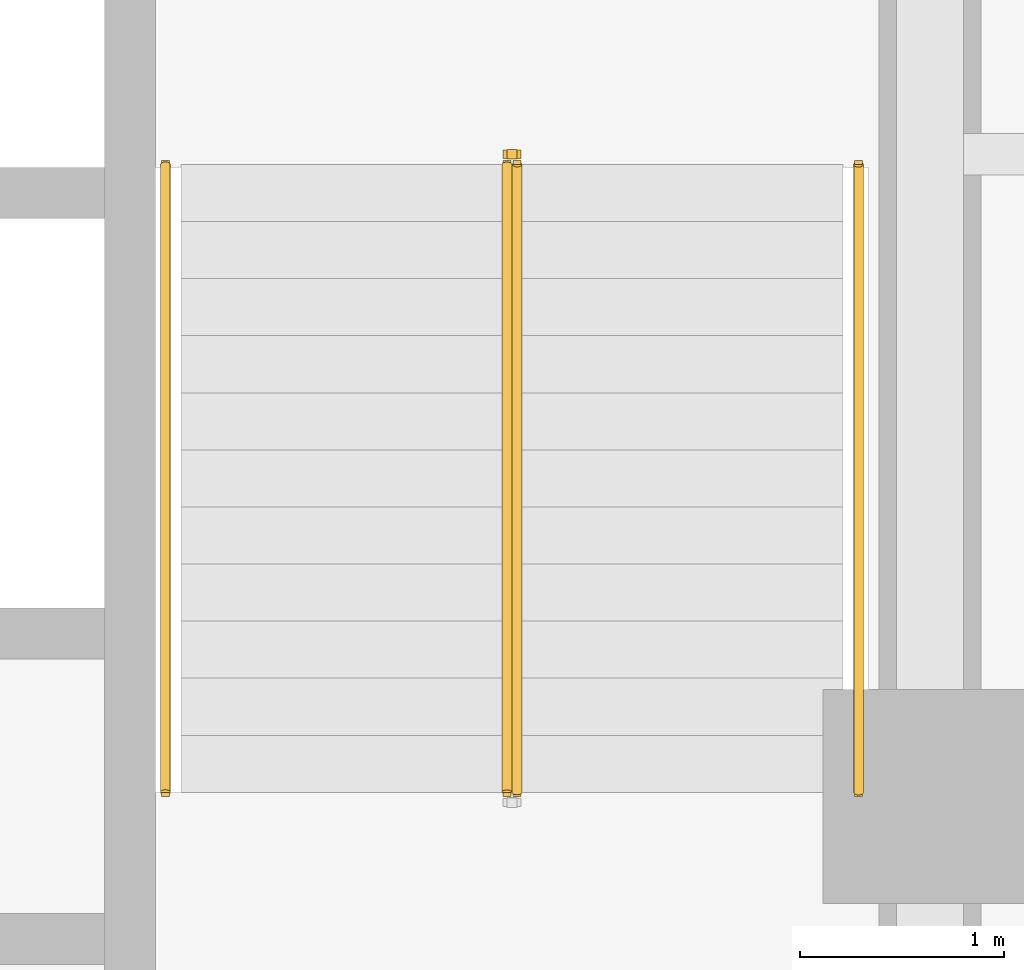
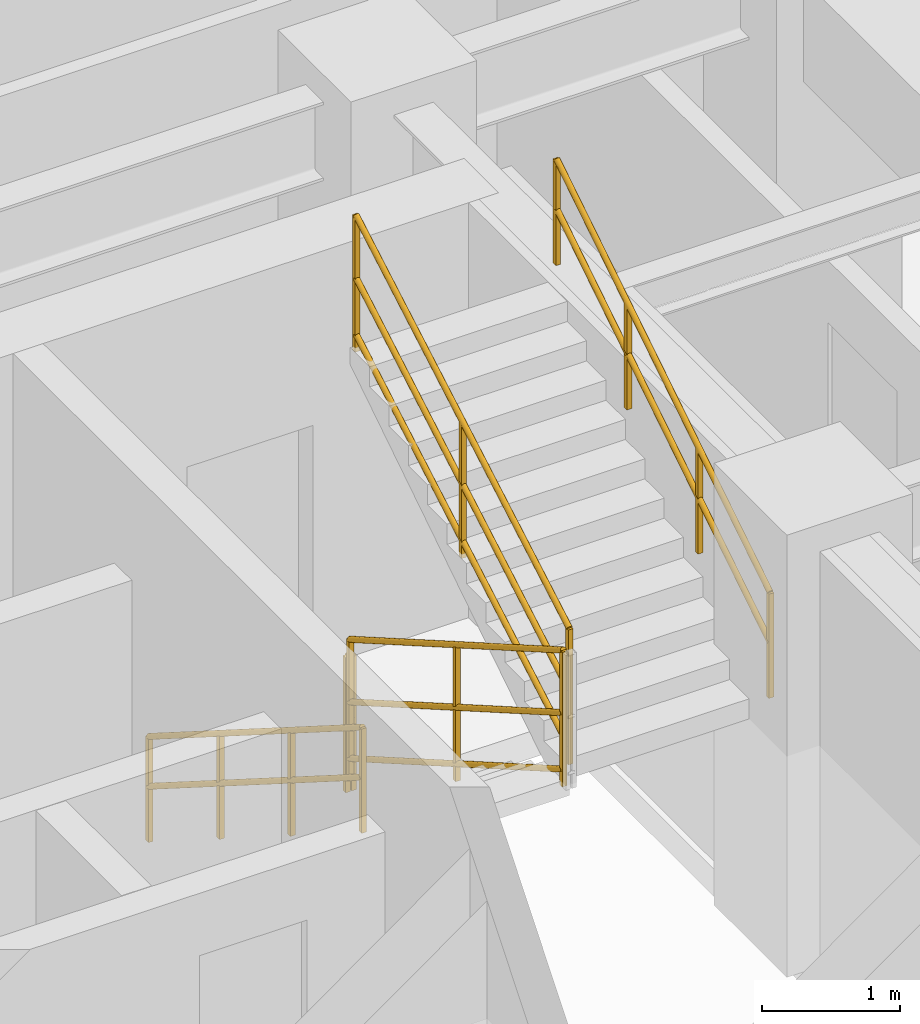
# One storey, part 9 of 10: 5 railings.
"""IFC4 building model written with IfcOpenShell, lengths in metres."""

from ifc_helpers import new_model, entity, si_unit, converted_unit, direction, frame, origin_with_axes, origin_2d_with_axis, place, context, subcontext, project, spatial, rectangle, circle, extrude, material, type_object, element, save


model = new_model("IFC4")

# Units and contexts
model_context = context("Model", 3, precision=1e-05, world=origin_with_axes(), true_north=direction((0.0, 1.0)))
body_context = subcontext(model_context, "Body", "Model", "MODEL_VIEW")
ifc_project = project(units=[si_unit("LENGTHUNIT", "METRE"), si_unit("AREAUNIT", "SQUARE_METRE"), si_unit("VOLUMEUNIT", "CUBIC_METRE"), converted_unit("PLANEANGLEUNIT", "DEGREE", entity("IfcPlaneAngleMeasure", 0.017453292519943295), si_unit("PLANEANGLEUNIT", "RADIAN"), dimensions=[0, 0, 0, 0, 0, 0, 0]), si_unit("MASSUNIT", "GRAM", prefix="KILO"), si_unit("THERMODYNAMICTEMPERATUREUNIT", "KELVIN")], contexts=[model_context])

# Site, building, storey
site_placement = place(None, origin_with_axes())
site = spatial("IfcSite", under=ifc_project, at=site_placement, CompositionType="ELEMENT")
building_placement = place(site_placement, origin_with_axes())
building = spatial("IfcBuilding", under=site, at=building_placement, Name="Varnlund Millrace Tower", CompositionType="ELEMENT")
storey_placement = place(building_placement, frame((0.0, 0.0, 160.2), z_axis=(0.0, 0.0, 1.0), x_axis=(1.0, 0.0, 0.0)))
storey = spatial("IfcBuildingStorey", under=building, at=storey_placement, Name="L39", CompositionType="ELEMENT", Elevation=160.2)

# Railings
ifc_material_1 = material(Name="Painted steel stair well balustrade guard", Category="steel")
railing_type_1 = type_object("IfcRailingType", Name="Type-StairGuard-1150", PredefinedType="GUARDRAIL", material=ifc_material_1)
railing_1_placement = place(storey_placement, frame((0.0, 0.0, -160.2), z_axis=(0.0, 0.0, 1.0), x_axis=(1.0, 0.0, 0.0)))
element("IfcRailing", 1, at=railing_1_placement, inside=storey, type_object=railing_type_1, Name="Type-StairGuard-1150", PredefinedType="GUARDRAIL", context=body_context, shape_type="SweptSolid", body=[
    extrude(circle(Radius=0.024, at=origin_2d_with_axis()), frame((45.975, 21.1, 161.527273), z_axis=(0.0, -0.866696, 0.498836), x_axis=(1.0, 0.0, 0.0)), (0.0, 0.0, 1.0), 3.553725),
    extrude(circle(Radius=0.024, at=origin_2d_with_axis()), frame((45.975, 21.1, 160.477273), z_axis=(0.0, -0.866696, 0.498836), x_axis=(1.0, 0.0, 0.0)), (0.0, 0.0, 1.0), 3.553725),
    extrude(circle(Radius=0.024, at=origin_2d_with_axis()), frame((45.975, 21.1, 160.975273), z_axis=(0.0, -0.866696, 0.498836), x_axis=(1.0, 0.0, 0.0)), (0.0, 0.0, 1.0), 3.553725),
    extrude(rectangle(XDim=0.04, YDim=0.04, at=origin_2d_with_axis()), frame((45.975, 21.1, 160.337273), z_axis=(0.0, 0.0, 1.0), x_axis=(1.0, 0.0, 0.0)), (0.0, 0.0, 1.0), 1.19),
    extrude(rectangle(XDim=0.04, YDim=0.04, at=origin_2d_with_axis()), frame((45.975, 19.56, 161.223637), z_axis=(0.0, 0.0, 1.0), x_axis=(1.0, 0.0, 0.0)), (0.0, 0.0, 1.0), 1.19),
    extrude(rectangle(XDim=0.04, YDim=0.04, at=origin_2d_with_axis()), frame((45.975, 18.02, 162.11), z_axis=(0.0, 0.0, 1.0), x_axis=(1.0, 0.0, 0.0)), (0.0, 0.0, 1.0), 1.19),
])
railing_2_placement = place(storey_placement, frame((0.0, 0.0, -160.2), z_axis=(0.0, 0.0, 1.0), x_axis=(1.0, 0.0, 0.0)))
element("IfcRailing", 2, at=railing_2_placement, inside=storey, type_object=railing_type_1, Name="Type-StairGuard-1150", PredefinedType="GUARDRAIL", context=body_context, shape_type="SweptSolid", body=[
    extrude(circle(Radius=0.024, at=origin_2d_with_axis()), frame((46.025, 18.02, 163.477273), z_axis=(0.0, 0.866696, 0.498836), x_axis=(-1.0, 0.0, 0.0)), (0.0, 0.0, 1.0), 3.553725),
    extrude(circle(Radius=0.024, at=origin_2d_with_axis()), frame((46.025, 18.02, 162.427273), z_axis=(0.0, 0.866696, 0.498836), x_axis=(-1.0, 0.0, 0.0)), (0.0, 0.0, 1.0), 3.553725),
    extrude(circle(Radius=0.024, at=origin_2d_with_axis()), frame((46.025, 18.02, 162.925273), z_axis=(0.0, 0.866696, 0.498836), x_axis=(-1.0, 0.0, 0.0)), (0.0, 0.0, 1.0), 3.553725),
    extrude(rectangle(XDim=0.04, YDim=0.04, at=origin_2d_with_axis()), frame((46.025, 18.02, 162.287273), z_axis=(0.0, 0.0, 1.0), x_axis=(1.0, 0.0, 0.0)), (0.0, 0.0, 1.0), 1.19),
    extrude(rectangle(XDim=0.04, YDim=0.04, at=origin_2d_with_axis()), frame((46.025, 19.56, 163.173637), z_axis=(0.0, 0.0, 1.0), x_axis=(1.0, 0.0, 0.0)), (0.0, 0.0, 1.0), 1.19),
    extrude(rectangle(XDim=0.04, YDim=0.04, at=origin_2d_with_axis()), frame((46.025, 21.1, 164.06), z_axis=(0.0, 0.0, 1.0), x_axis=(1.0, 0.0, 0.0)), (0.0, 0.0, 1.0), 1.19),
])
railing_3_placement = place(storey_placement, frame((0.0, 0.0, -160.2), z_axis=(0.0, 0.0, 1.0), x_axis=(1.0, 0.0, 0.0)))
element("IfcRailing", 3, at=railing_3_placement, inside=storey, type_object=railing_type_1, Name="Type-StairGuard-1150", PredefinedType="GUARDRAIL", context=body_context, shape_type="SweptSolid", body=[
    extrude(circle(Radius=0.024, at=origin_2d_with_axis()), frame((46.025, 21.15, 161.35), z_axis=(-1.0, 0.0, 0.0), x_axis=(0.0, -1.0, 0.0)), (0.0, 0.0, 1.0), 0.05),
    extrude(circle(Radius=0.024, at=origin_2d_with_axis()), frame((46.025, 21.15, 160.3), z_axis=(-1.0, 0.0, 0.0), x_axis=(0.0, -1.0, 0.0)), (0.0, 0.0, 1.0), 0.05),
    extrude(circle(Radius=0.024, at=origin_2d_with_axis()), frame((46.025, 21.15, 160.798), z_axis=(-1.0, 0.0, 0.0), x_axis=(0.0, -1.0, 0.0)), (0.0, 0.0, 1.0), 0.05),
    extrude(rectangle(XDim=0.04, YDim=0.04, at=origin_2d_with_axis()), frame((46.025, 21.15, 160.16), z_axis=(0.0, 0.0, 1.0), x_axis=(1.0, 0.0, 0.0)), (0.0, 0.0, 1.0), 1.19),
    extrude(rectangle(XDim=0.04, YDim=0.04, at=origin_2d_with_axis()), frame((45.975, 21.15, 160.16), z_axis=(0.0, 0.0, 1.0), x_axis=(1.0, 0.0, 0.0)), (0.0, 0.0, 1.0), 1.19),
])
ifc_material_2 = material(Name="Brushed architectural bronze stair handrail", Category="aluminium")
railing_type_2 = type_object("IfcRailingType", Name="Type-StairHandrail-900", PredefinedType="HANDRAIL", material=ifc_material_2)
railing_4_placement = place(storey_placement, frame((0.0, 0.0, -160.2), z_axis=(0.0, 0.0, 1.0), x_axis=(1.0, 0.0, 0.0)))
element("IfcRailing", 4, at=railing_4_placement, inside=storey, type_object=railing_type_2, Name="Type-StairHandrail-900", PredefinedType="HANDRAIL", context=body_context, shape_type="SweptSolid", body=[
    extrude(circle(Radius=0.024, at=origin_2d_with_axis()), frame((44.3, 21.1, 161.256995), z_axis=(0.0, -0.844902, 0.534922), x_axis=(1.0, 0.0, 0.0)), (0.0, 0.0, 1.0), 3.645394),
    extrude(circle(Radius=0.024, at=origin_2d_with_axis()), frame((44.3, 21.1, 160.817134), z_axis=(0.0, -0.844902, 0.534922), x_axis=(1.0, 0.0, 0.0)), (0.0, 0.0, 1.0), 3.645394),
    extrude(rectangle(XDim=0.04, YDim=0.04, at=origin_2d_with_axis()), frame((44.3, 21.1, 160.337273), z_axis=(0.0, 0.0, 1.0), x_axis=(1.0, 0.0, 0.0)), (0.0, 0.0, 1.0), 0.919722),
    extrude(rectangle(XDim=0.04, YDim=0.04, at=origin_2d_with_axis()), frame((44.3, 20.073333, 160.987273), z_axis=(0.0, 0.0, 1.0), x_axis=(1.0, 0.0, 0.0)), (0.0, 0.0, 1.0), 0.919722),
    extrude(rectangle(XDim=0.04, YDim=0.04, at=origin_2d_with_axis()), frame((44.3, 19.046667, 161.637273), z_axis=(0.0, 0.0, 1.0), x_axis=(1.0, 0.0, 0.0)), (0.0, 0.0, 1.0), 0.919722),
    extrude(rectangle(XDim=0.04, YDim=0.04, at=origin_2d_with_axis()), frame((44.3, 18.02, 162.287273), z_axis=(0.0, 0.0, 1.0), x_axis=(1.0, 0.0, 0.0)), (0.0, 0.0, 1.0), 0.919722),
])
railing_5_placement = place(storey_placement, frame((0.0, 0.0, -160.2), z_axis=(0.0, 0.0, 1.0), x_axis=(1.0, 0.0, 0.0)))
element("IfcRailing", 5, at=railing_5_placement, inside=storey, type_object=railing_type_2, Name="Type-StairHandrail-900", PredefinedType="HANDRAIL", context=body_context, shape_type="SweptSolid", body=[
    extrude(circle(Radius=0.024, at=origin_2d_with_axis()), frame((47.7, 18.02, 163.206995), z_axis=(0.0, 0.844902, 0.534922), x_axis=(-1.0, 0.0, 0.0)), (0.0, 0.0, 1.0), 3.645394),
    extrude(circle(Radius=0.024, at=origin_2d_with_axis()), frame((47.7, 18.02, 162.767134), z_axis=(0.0, 0.844902, 0.534922), x_axis=(-1.0, 0.0, 0.0)), (0.0, 0.0, 1.0), 3.645394),
    extrude(rectangle(XDim=0.04, YDim=0.04, at=origin_2d_with_axis()), frame((47.7, 18.02, 162.287273), z_axis=(0.0, 0.0, 1.0), x_axis=(1.0, 0.0, 0.0)), (0.0, 0.0, 1.0), 0.919722),
    extrude(rectangle(XDim=0.04, YDim=0.04, at=origin_2d_with_axis()), frame((47.7, 19.046667, 162.937273), z_axis=(0.0, 0.0, 1.0), x_axis=(1.0, 0.0, 0.0)), (0.0, 0.0, 1.0), 0.919722),
    extrude(rectangle(XDim=0.04, YDim=0.04, at=origin_2d_with_axis()), frame((47.7, 20.073333, 163.587273), z_axis=(0.0, 0.0, 1.0), x_axis=(1.0, 0.0, 0.0)), (0.0, 0.0, 1.0), 0.919722),
    extrude(rectangle(XDim=0.04, YDim=0.04, at=origin_2d_with_axis()), frame((47.7, 21.1, 164.237273), z_axis=(0.0, 0.0, 1.0), x_axis=(1.0, 0.0, 0.0)), (0.0, 0.0, 1.0), 0.919722),
])

save(model, "model.ifc")
